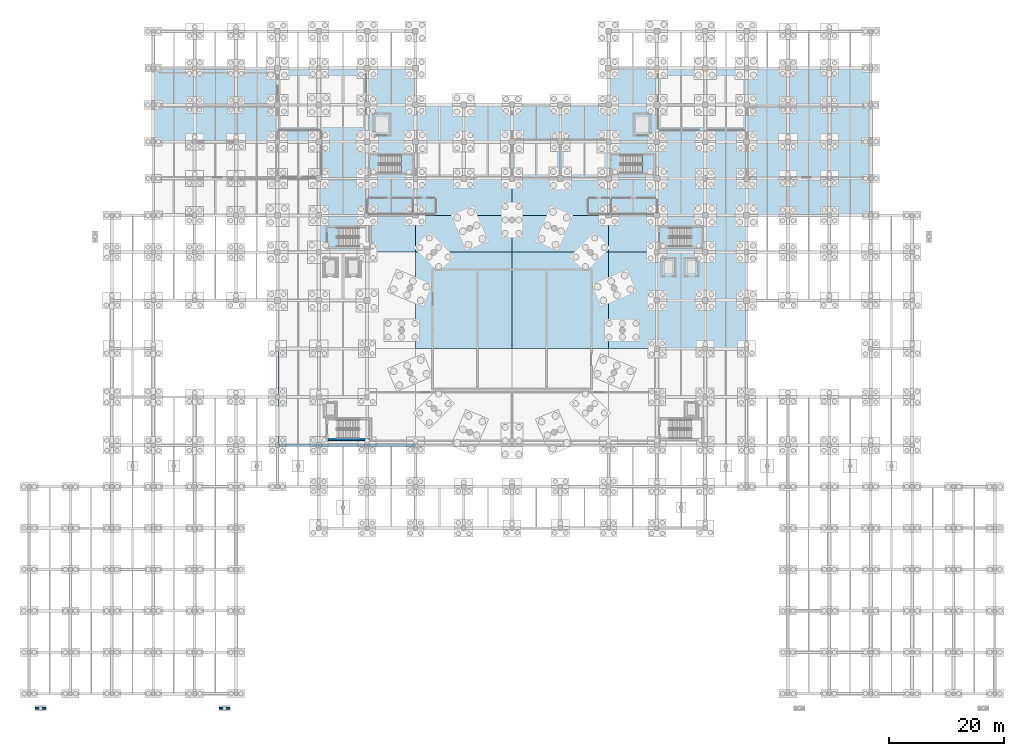
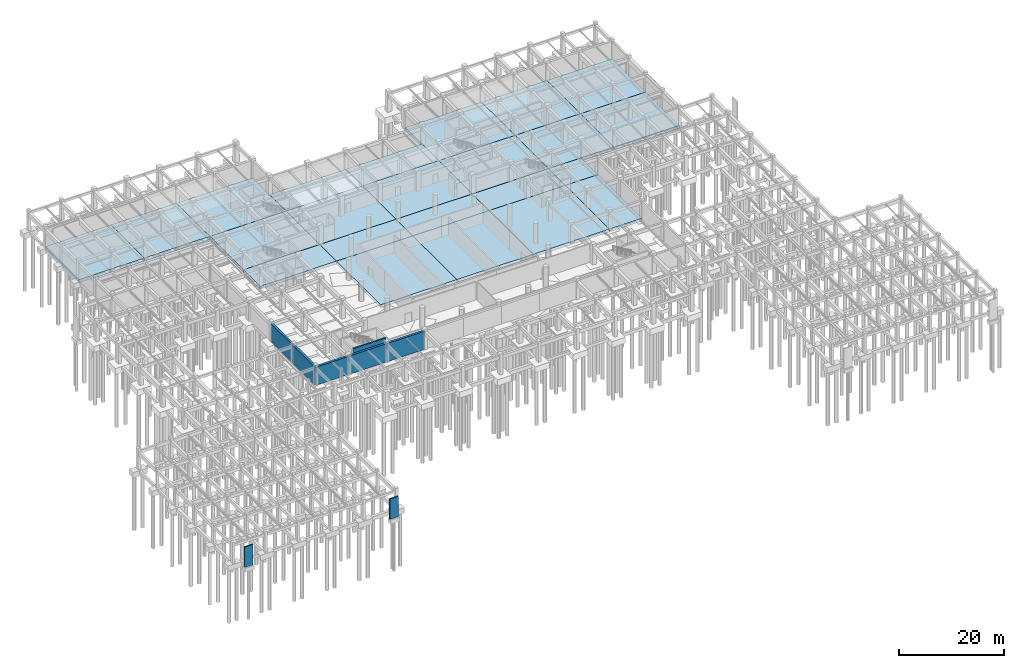
# One storey, part 30 of 44: 26 slabs, 8 walls, 3 elements without a shape of their own.
"""IFC4 building model written with IfcOpenShell, lengths in metres."""

import ifcopenshell
import ifcopenshell.guid

model = None  # the IFC model being written
_history = None  # IfcOwnerHistory: only IFC2X3 demands one
_inside = {}  # id of a spatial element -> (the spatial element, [elements in it])
_under = {}  # id of a project, library or spatial element -> (it, [spatial elements below it])
_declared = {}  # id of a project -> (the project, [libraries it declares])
_typed = {}  # id of a type object -> (the type object, [elements of that type])
_made_of = {}  # id of a material, layer set ... -> (it, [elements and type objects made of it])


def new_model(schema):
    """Start an empty IFC model of exactly this schema.

    Asked for "IFC4X3", IfcOpenShell would pick the latest addendum, in which some entities
    have other attributes; the version numbers below select the first issue.
    IFC2X3 requires an IfcOwnerHistory on every rooted entity: one is made here for all.
    """
    global model, _history
    if schema == "IFC4X3":
        model = ifcopenshell.file(schema_version=(4, 3, 0, 0))
    else:
        model = ifcopenshell.file(schema=schema)
    _inside.clear()
    _under.clear()
    _declared.clear()
    _typed.clear()
    _made_of.clear()
    _history = None
    if model.schema == "IFC2X3":
        org = make("IfcOrganization", Name="unknown")
        user = make(
            "IfcPersonAndOrganization",
            ThePerson=make("IfcPerson", FamilyName="unknown"),
            TheOrganization=org,
        )
        app = make(
            "IfcApplication",
            ApplicationDeveloper=org,
            Version="unknown",
            ApplicationFullName="unknown",
            ApplicationIdentifier="unknown",
        )
        _history = make(
            "IfcOwnerHistory",
            OwningUser=user,
            OwningApplication=app,
            ChangeAction="ADDED",
            CreationDate=0,
        )
    return model


def make(cls, **values):
    """One entity of the class cls with the attributes given. An attribute that is None is left unset."""
    return model.create_entity(
        cls, **{name: value for name, value in values.items() if value is not None}
    )


def rooted(cls, **values):
    """An entity with a GlobalId (a new one), such as an element, a storey or a relation."""
    return make(cls, GlobalId=ifcopenshell.guid.new(), OwnerHistory=_history, **values)


def si_unit(unit_type, name, prefix=None):
    """IfcSIUnit, for example si_unit("LENGTHUNIT", "METRE", prefix="MILLI")."""
    return make("IfcSIUnit", UnitType=unit_type, Prefix=prefix, Name=name)


def assignment(units):
    """IfcUnitAssignment: the units of a project."""
    return None if units is None else make("IfcUnitAssignment", Units=units)


def point(xyz):
    """IfcCartesianPoint."""
    return None if xyz is None else make("IfcCartesianPoint", Coordinates=xyz)


def direction(xyz):
    """IfcDirection."""
    return None if xyz is None else make("IfcDirection", DirectionRatios=xyz)


def frame(location, z_axis=None, x_axis=None):
    """IfcAxis2Placement3D, a coordinate frame: its origin and axes. An axis left out is left unset."""
    return make(
        "IfcAxis2Placement3D",
        Location=point(location),
        Axis=direction(z_axis),
        RefDirection=direction(x_axis),
    )


def frame_2d(location, x_axis=None):
    """IfcAxis2Placement2D, a coordinate frame in the plane: its origin and x axis."""
    return make(
        "IfcAxis2Placement2D", Location=point(location), RefDirection=direction(x_axis)
    )


def origin():
    """The frame at (0, 0, 0) with its axes left unset."""
    return frame((0.0, 0.0, 0.0))


def place(relative_to, where):
    """IfcLocalPlacement: puts the frame where relative to a parent placement (None: the world)."""
    return make(
        "IfcLocalPlacement", PlacementRelTo=relative_to, RelativePlacement=where
    )


def context(
    kind, dimensions, precision=None, world=None, true_north=None, identifier=None
):
    """IfcGeometricRepresentationContext, for example the 3D "Model" context."""
    return make(
        "IfcGeometricRepresentationContext",
        ContextIdentifier=identifier,
        ContextType=kind,
        CoordinateSpaceDimension=dimensions,
        Precision=precision,
        WorldCoordinateSystem=world,
        TrueNorth=true_north,
    )


def subcontext(parent, identifier, kind, view, scale=None):
    """IfcGeometricRepresentationSubContext, for example "Body" below "Model"."""
    return make(
        "IfcGeometricRepresentationSubContext",
        ContextIdentifier=identifier,
        ContextType=kind,
        ParentContext=parent,
        TargetScale=scale,
        TargetView=view,
    )


def project(units=None, contexts=None):
    """IfcProject with its units and contexts."""
    return rooted(
        "IfcProject",
        Name="project",
        RepresentationContexts=contexts,
        UnitsInContext=assignment(units),
    )


def spatial(cls, under=None, at=None, **own):
    """A site, building, storey or space (cls), placed at a placement, below another one or the project."""
    s = rooted(cls, ObjectPlacement=at, **own)
    if under is not None:
        _under.setdefault(under.id(), (under, []))[1].append(s)
    return s


def polyline(points):
    """IfcPolyline through the points."""
    return make("IfcPolyline", Points=[point(p) for p in points])


def profile(cls, at=None, kind="AREA", **sizes):
    """A parametric profile (cls). Its sizes go by their IFC names, for example OverallWidth=200.0."""
    return make(cls, ProfileType=kind, Position=at, **sizes)


def rectangle(**sizes):
    """IfcRectangleProfileDef."""
    return profile("IfcRectangleProfileDef", **sizes)


def outline(outer, holes=None, kind="AREA"):
    """IfcArbitraryClosedProfileDef: a profile drawn as a closed curve; with holes, ...WithVoids."""
    if holes is None:
        return make("IfcArbitraryClosedProfileDef", ProfileType=kind, OuterCurve=outer)
    return make(
        "IfcArbitraryProfileDefWithVoids",
        ProfileType=kind,
        OuterCurve=outer,
        InnerCurves=holes,
    )


def extrude(swept, where, along, depth):
    """IfcExtrudedAreaSolid: the profile swept, set in the frame where, extruded along a direction by depth."""
    return make(
        "IfcExtrudedAreaSolid",
        SweptArea=swept,
        Position=where,
        ExtrudedDirection=direction(along),
        Depth=depth,
    )


def shape(context_of_items, identifier, shape_type, items):
    """IfcShapeRepresentation: the items that make up one representation, for example the "Body"."""
    return make(
        "IfcShapeRepresentation",
        ContextOfItems=context_of_items,
        RepresentationIdentifier=identifier,
        RepresentationType=shape_type,
        Items=items,
    )


def material(Name=None, Category=None):
    """IfcMaterial."""
    return make("IfcMaterial", Name=Name, Category=Category)


def layer(
    of_material, thickness, ventilated=None, Name=None, Category=None, Priority=None
):
    """IfcMaterialLayer: one layer of a wall or slab, of a material (None: an air gap)."""
    return make(
        "IfcMaterialLayer",
        Material=of_material,
        LayerThickness=thickness,
        IsVentilated=ventilated,
        Name=Name,
        Category=Category,
        Priority=Priority,
    )


def layer_set(layers, Name=None):
    """IfcMaterialLayerSet."""
    return make("IfcMaterialLayerSet", MaterialLayers=layers, LayerSetName=Name)


def made_of(thing, what):
    """Note that an element or type object is made of a material, layer set ...; save() writes the relation."""
    if what is not None:
        _made_of.setdefault(what.id(), (what, []))[1].append(thing)
    return thing


def type_object(cls, material=None, **own):
    """A type object (cls), such as IfcWallType, which elements share."""
    return made_of(rooted(cls, **own), material)


def element(
    cls,
    number,
    at=None,
    inside=None,
    cuts=None,
    type_object=None,
    material=None,
    context=None,
    identifier="Body",
    shape_type=None,
    held_by="IfcProductDefinitionShape",
    body=None,
    shapes=None,
    **own,
):
    """One element of the class cls, such as IfcWall. Its Tag is "e" and its number.

    at: its placement. inside: the storey or other place that contains it. cuts: it is an
    opening in that element (IfcRelVoidsElement). A single representation is given by context,
    identifier, shape_type and body (its items); several are given by shapes. held_by: the class
    of the entity that holds the representations. save() writes the other relations.
    """
    e = rooted(cls, Tag="e%d" % number, ObjectPlacement=at, **own)
    if body is not None:
        shapes = [shape(context, identifier, shape_type, body)]
    if shapes is not None:
        e.Representation = make(held_by, Representations=shapes)
    if inside is not None:
        _inside.setdefault(inside.id(), (inside, []))[1].append(e)
    if cuts is not None:
        rooted(
            "IfcRelVoidsElement", RelatingBuildingElement=cuts, RelatedOpeningElement=e
        )
    if type_object is not None:
        _typed.setdefault(type_object.id(), (type_object, []))[1].append(e)
    return made_of(e, material)


def aggregate(whole, parts):
    """IfcRelAggregates: a whole, such as a stair, and the parts it consists of."""
    return rooted("IfcRelAggregates", RelatingObject=whole, RelatedObjects=parts)


def save(model, path):
    """Write the relations noted so far, then the file.

    IfcRelAggregates (storeys below a building ...), IfcRelContainedInSpatialStructure (elements
    in a storey), IfcRelDefinesByType, IfcRelAssociatesMaterial and IfcRelDeclares: one each for
    every whole, place, type object, material and project.
    """
    for whole, parts in _under.values():
        aggregate(whole, parts)
    for where, things in _inside.values():
        rooted(
            "IfcRelContainedInSpatialStructure",
            RelatedElements=things,
            RelatingStructure=where,
        )
    for kind, things in _typed.values():
        rooted("IfcRelDefinesByType", RelatedObjects=things, RelatingType=kind)
    for what, things in _made_of.values():
        rooted("IfcRelAssociatesMaterial", RelatedObjects=things, RelatingMaterial=what)
    for by, libraries in _declared.values():
        rooted("IfcRelDeclares", RelatingContext=by, RelatedDefinitions=libraries)
    model.write(path)


model = new_model("IFC4")

# Units and contexts
model_context = context("Model", 3, precision=1e-05, world=origin(), true_north=direction((0.0, 1.0)))
body_context = subcontext(model_context, "Body", "Model", "MODEL_VIEW")
ifc_project = project(units=[si_unit("LENGTHUNIT", "METRE"), si_unit("AREAUNIT", "SQUARE_METRE"), si_unit("VOLUMEUNIT", "CUBIC_METRE"), si_unit("PLANEANGLEUNIT", "RADIAN"), si_unit("MASSUNIT", "GRAM", prefix="KILO")], contexts=[model_context])

# Site, building, storey
site_placement = place(None, origin())
site = spatial("IfcSite", under=ifc_project, at=site_placement, CompositionType="ELEMENT")
building_placement = place(site_placement, origin())
building = spatial("IfcBuilding", under=site, at=building_placement, Name="Korsvaeld Concert Hall", CompositionType="ELEMENT")
storey_placement = place(building_placement, frame((0.0, 0.0, -4.800048828125)))
storey = spatial("IfcBuildingStorey", under=building, at=storey_placement, Name="B1", CompositionType="ELEMENT", Elevation=-4.800048828125)

# Slabs
ifc_material_1 = material(Name="Concrete C35/45", Category="concrete")
ifc_layer_1 = layer(ifc_material_1, 0.699951171875)
ifc_layer_set_1 = layer_set([ifc_layer_1], Name="Concrete C35/45")
slab_type_1 = type_object("IfcSlabType", Name="SLB-BASE-700", PredefinedType="BASESLAB", material=ifc_layer_set_1)
slab_1_placement = place(storey_placement, frame((0.0, 0.0, -0.699951171875)))
element("IfcSlab", 1, at=slab_1_placement, inside=storey, type_object=slab_type_1, Name="Structural slab B1 V1_B1 2.3", PredefinedType="BASESLAB", context=body_context, shape_type="SweptSolid", body=[
    extrude(outline(polyline([(67.199951171875, 76.800048828125), (67.199951171875, 83.199951171875), (50.39990234375, 83.199951171875), (50.39990234375, 76.800048828125), (67.199951171875, 76.800048828125)])), origin(), (0.0, 0.0, 1.0), 0.699951171875),
])
slab_2_placement = place(storey_placement, frame((0.0, 0.0, -0.699951171875)))
element("IfcSlab", 2, at=slab_2_placement, inside=storey, type_object=slab_type_1, Name="Structural slab B1 V1_B1 3.2", PredefinedType="BASESLAB", context=body_context, shape_type="SweptSolid", body=[
    extrude(outline(polyline([(84.0, 60.0), (84.0, 76.800048828125), (67.199951171875, 76.800048828125), (67.199951171875, 60.0), (84.0, 60.0)])), origin(), (0.0, 0.0, 1.0), 0.699951171875),
])
slab_3_placement = place(storey_placement, frame((0.0, 0.0, -0.699951171875)))
element("IfcSlab", 3, at=slab_3_placement, inside=storey, type_object=slab_type_1, Name="Structural slab B1 V1_B1 3.3", PredefinedType="BASESLAB", context=body_context, shape_type="SweptSolid", body=[
    extrude(outline(polyline([(84.0, 76.800048828125), (84.0, 83.199951171875), (67.199951171875, 83.199951171875), (67.199951171875, 76.800048828125), (84.0, 76.800048828125)])), origin(), (0.0, 0.0, 1.0), 0.699951171875),
])
slab_4_placement = place(storey_placement, frame((0.0, 0.0, -0.699951171875)))
element("IfcSlab", 4, at=slab_4_placement, inside=storey, type_object=slab_type_1, Name="Structural slab B1 V1_B1 4.2", PredefinedType="BASESLAB", context=body_context, shape_type="SweptSolid", body=[
    extrude(outline(polyline([(100.800048828125, 60.0), (100.800048828125, 76.800048828125), (84.0, 76.800048828125), (84.0, 60.0), (100.800048828125, 60.0)])), origin(), (0.0, 0.0, 1.0), 0.699951171875),
])
slab_5_placement = place(storey_placement, frame((0.0, 0.0, -0.699951171875)))
element("IfcSlab", 5, at=slab_5_placement, inside=storey, type_object=slab_type_1, Name="Structural slab B1 V1_B1 4.3", PredefinedType="BASESLAB", context=body_context, shape_type="SweptSolid", body=[
    extrude(outline(polyline([(100.800048828125, 76.800048828125), (100.800048828125, 83.199951171875), (84.0, 83.199951171875), (84.0, 76.800048828125), (100.800048828125, 76.800048828125)])), origin(), (0.0, 0.0, 1.0), 0.699951171875),
])
slab_6_placement = place(storey_placement, frame((0.0, 0.0, -0.699951171875)))
element("IfcSlab", 6, at=slab_6_placement, inside=storey, type_object=slab_type_1, Name="Structural slab B1 V1_B1 5.2", PredefinedType="BASESLAB", context=body_context, shape_type="SweptSolid", body=[
    extrude(outline(polyline([(117.60009765625, 60.0), (117.60009765625, 76.800048828125), (100.800048828125, 76.800048828125), (100.800048828125, 60.0), (117.60009765625, 60.0)])), origin(), (0.0, 0.0, 1.0), 0.699951171875),
])
slab_7_placement = place(storey_placement, frame((0.0, 0.0, -0.699951171875)))
element("IfcSlab", 7, at=slab_7_placement, inside=storey, type_object=slab_type_1, Name="Structural slab B1 V1_B1 5.3", PredefinedType="BASESLAB", context=body_context, shape_type="SweptSolid", body=[
    extrude(outline(polyline([(117.60009765625, 76.800048828125), (117.60009765625, 83.199951171875), (100.800048828125, 83.199951171875), (100.800048828125, 76.800048828125), (117.60009765625, 76.800048828125)])), origin(), (0.0, 0.0, 1.0), 0.699951171875),
])
slab_8_placement = place(storey_placement, frame((0.0, 0.0, -0.699951171875)))
element("IfcSlab", 8, at=slab_8_placement, inside=storey, type_object=slab_type_1, Name="Structural slab B1 V1_B1 6.2", PredefinedType="BASESLAB", context=body_context, shape_type="SweptSolid", body=[
    extrude(outline(polyline([(124.800048828125, 60.0), (124.800048828125, 76.800048828125), (117.60009765625, 76.800048828125), (117.60009765625, 60.0), (124.800048828125, 60.0)])), origin(), (0.0, 0.0, 1.0), 0.699951171875),
])
slab_9_placement = place(storey_placement, frame((0.0, 0.0, -0.699951171875)))
element("IfcSlab", 9, at=slab_9_placement, inside=storey, type_object=slab_type_1, Name="Structural slab B1 V1_B1 6.3", PredefinedType="BASESLAB", context=body_context, shape_type="SweptSolid", body=[
    extrude(outline(polyline([(124.800048828125, 76.800048828125), (124.800048828125, 83.199951171875), (117.60009765625, 83.199951171875), (117.60009765625, 76.800048828125), (124.800048828125, 76.800048828125)])), origin(), (0.0, 0.0, 1.0), 0.699951171875),
])
slab_10_placement = place(storey_placement, frame((0.0, 0.0, -0.699951171875)))
element("IfcSlab", 10, at=slab_10_placement, inside=storey, type_object=slab_type_1, Name="Structural slab B1 V5_B1_W 1.2", PredefinedType="BASESLAB", context=body_context, shape_type="SweptSolid", body=[
    extrude(outline(polyline([(36.0, 96.0), (36.0, 108.800048828125), (21.60009765625, 108.800048828125), (21.60009765625, 96.0), (36.0, 96.0)])), origin(), (0.0, 0.0, 1.0), 0.699951171875),
])
slab_11_placement = place(storey_placement, frame((0.0, 0.0, -0.699951171875)))
element("IfcSlab", 11, at=slab_11_placement, inside=storey, type_object=slab_type_1, Name="Structural slab B1 V5_B1_W 2.2", PredefinedType="BASESLAB", context=body_context, shape_type="SweptSolid", body=[
    extrude(outline(polyline([(50.39990234375, 96.0), (50.39990234375, 108.800048828125), (36.0, 108.800048828125), (36.0, 96.0), (50.39990234375, 96.0)])), origin(), (0.0, 0.0, 1.0), 0.699951171875),
])
slab_12_placement = place(storey_placement, frame((0.0, 0.0, -0.699951171875)))
element("IfcSlab", 12, at=slab_12_placement, inside=storey, type_object=slab_type_1, Name="Structural slab B1 V5_B1_W 3.1", PredefinedType="BASESLAB", context=body_context, shape_type="SweptSolid", body=[
    extrude(outline(polyline([(67.199951171875, 83.199951171875), (67.199951171875, 96.0), (50.39990234375, 96.0), (50.39990234375, 83.199951171875), (67.199951171875, 83.199951171875)])), origin(), (0.0, 0.0, 1.0), 0.699951171875),
])
slab_13_placement = place(storey_placement, frame((0.0, 0.0, -0.699951171875)))
element("IfcSlab", 13, at=slab_13_placement, inside=storey, type_object=slab_type_1, Name="Structural slab B1 V5_B1_W 3.2", PredefinedType="BASESLAB", context=body_context, shape_type="SweptSolid", body=[
    extrude(outline(polyline([(67.199951171875, 96.0), (67.199951171875, 108.800048828125), (50.39990234375, 108.800048828125), (50.39990234375, 96.0), (67.199951171875, 96.0)])), origin(), (0.0, 0.0, 1.0), 0.699951171875),
])
slab_14_placement = place(storey_placement, frame((0.0, 0.0, -0.699951171875)))
element("IfcSlab", 14, at=slab_14_placement, inside=storey, type_object=slab_type_1, Name="Structural slab B1 V5_B1_C 1.1", PredefinedType="BASESLAB", context=body_context, shape_type="SweptSolid", body=[
    extrude(outline(polyline([(84.0, 83.199951171875), (84.0, 96.0), (67.199951171875, 96.0), (67.199951171875, 83.199951171875), (84.0, 83.199951171875)])), origin(), (0.0, 0.0, 1.0), 0.699951171875),
])
slab_15_placement = place(storey_placement, frame((0.0, 0.0, -0.699951171875)))
element("IfcSlab", 15, at=slab_15_placement, inside=storey, type_object=slab_type_1, Name="Structural slab B1 V5_B1_C 1.2", PredefinedType="BASESLAB", context=body_context, shape_type="SweptSolid", body=[
    extrude(outline(polyline([(84.0, 96.0), (84.0, 102.39990234375), (67.199951171875, 102.39990234375), (67.199951171875, 96.0), (84.0, 96.0)])), origin(), (0.0, 0.0, 1.0), 0.699951171875),
])
slab_16_placement = place(storey_placement, frame((0.0, 0.0, -0.699951171875)))
element("IfcSlab", 16, at=slab_16_placement, inside=storey, type_object=slab_type_1, Name="Structural slab B1 V5_B1_C 2.1", PredefinedType="BASESLAB", context=body_context, shape_type="SweptSolid", body=[
    extrude(outline(polyline([(100.800048828125, 83.199951171875), (100.800048828125, 96.0), (84.0, 96.0), (84.0, 83.199951171875), (100.800048828125, 83.199951171875)])), origin(), (0.0, 0.0, 1.0), 0.699951171875),
])
slab_17_placement = place(storey_placement, frame((0.0, 0.0, -0.699951171875)))
element("IfcSlab", 17, at=slab_17_placement, inside=storey, type_object=slab_type_1, Name="Structural slab B1 V5_B1_C 2.2", PredefinedType="BASESLAB", context=body_context, shape_type="SweptSolid", body=[
    extrude(outline(polyline([(100.800048828125, 96.0), (100.800048828125, 102.39990234375), (84.0, 102.39990234375), (84.0, 96.0), (100.800048828125, 96.0)])), origin(), (0.0, 0.0, 1.0), 0.699951171875),
])
slab_18_placement = place(storey_placement, frame((0.0, 0.0, -0.699951171875)))
element("IfcSlab", 18, at=slab_18_placement, inside=storey, type_object=slab_type_1, Name="Structural slab B1 V5_B1_E 1.1", PredefinedType="BASESLAB", context=body_context, shape_type="SweptSolid", body=[
    extrude(outline(polyline([(117.60009765625, 83.199951171875), (117.60009765625, 96.0), (100.800048828125, 96.0), (100.800048828125, 83.199951171875), (117.60009765625, 83.199951171875)])), origin(), (0.0, 0.0, 1.0), 0.699951171875),
])
slab_19_placement = place(storey_placement, frame((0.0, 0.0, -0.699951171875)))
element("IfcSlab", 19, at=slab_19_placement, inside=storey, type_object=slab_type_1, Name="Structural slab B1 V5_B1_E 1.2", PredefinedType="BASESLAB", context=body_context, shape_type="SweptSolid", body=[
    extrude(outline(polyline([(117.60009765625, 96.0), (117.60009765625, 108.800048828125), (100.800048828125, 108.800048828125), (100.800048828125, 96.0), (117.60009765625, 96.0)])), origin(), (0.0, 0.0, 1.0), 0.699951171875),
])
slab_20_placement = place(storey_placement, frame((0.0, 0.0, -0.699951171875)))
element("IfcSlab", 20, at=slab_20_placement, inside=storey, type_object=slab_type_1, Name="Structural slab B1 V5_B1_E 2.1", PredefinedType="BASESLAB", context=body_context, shape_type="SweptSolid", body=[
    extrude(outline(polyline([(132.0, 83.199951171875), (132.0, 96.0), (117.60009765625, 96.0), (117.60009765625, 83.199951171875), (132.0, 83.199951171875)])), origin(), (0.0, 0.0, 1.0), 0.699951171875),
])
slab_21_placement = place(storey_placement, frame((0.0, 0.0, -0.699951171875)))
element("IfcSlab", 21, at=slab_21_placement, inside=storey, type_object=slab_type_1, Name="Structural slab B1 V5_B1_E 2.2", PredefinedType="BASESLAB", context=body_context, shape_type="SweptSolid", body=[
    extrude(outline(polyline([(132.0, 96.0), (132.0, 108.800048828125), (117.60009765625, 108.800048828125), (117.60009765625, 96.0), (132.0, 96.0)])), origin(), (0.0, 0.0, 1.0), 0.699951171875),
])
slab_22_placement = place(storey_placement, frame((0.0, 0.0, -0.699951171875)))
element("IfcSlab", 22, at=slab_22_placement, inside=storey, type_object=slab_type_1, Name="Structural slab B1 V5_B1_E 3.1", PredefinedType="BASESLAB", context=body_context, shape_type="SweptSolid", body=[
    extrude(outline(polyline([(146.39990234375, 83.199951171875), (146.39990234375, 96.0), (132.0, 96.0), (132.0, 83.199951171875), (146.39990234375, 83.199951171875)])), origin(), (0.0, 0.0, 1.0), 0.699951171875),
])
slab_23_placement = place(storey_placement, frame((0.0, 0.0, -0.699951171875)))
element("IfcSlab", 23, at=slab_23_placement, inside=storey, type_object=slab_type_1, Name="Structural slab B1 V5_B1_E 3.2", PredefinedType="BASESLAB", context=body_context, shape_type="SweptSolid", body=[
    extrude(outline(polyline([(146.39990234375, 96.0), (146.39990234375, 108.800048828125), (132.0, 108.800048828125), (132.0, 96.0), (146.39990234375, 96.0)])), origin(), (0.0, 0.0, 1.0), 0.699951171875),
])

# Stair, slab
ifc_material_2 = material(Name="Precast concrete C40/50", Category="concrete")
stair_type_1 = type_object("IfcStairType", Name="STR-HT-155-48", PredefinedType="HALF_TURN_STAIR", material=ifc_material_2)
stair_1_placement = place(storey_placement, origin())
stair_1 = element("IfcStair", 24, at=stair_1_placement, inside=storey, type_object=stair_type_1, Name="B1 ST-K2", PredefinedType="HALF_TURN_STAIR")
ifc_layer_2 = layer(ifc_material_2, 0.179931640625)
ifc_layer_set_2 = layer_set([ifc_layer_2], Name="Precast concrete C40/50")
slab_type_2 = type_object("IfcSlabType", Name="SLB-LANDING-180", PredefinedType="LANDING", material=ifc_layer_set_2)
slab_24_placement = place(storey_placement, frame((0.0, 0.0, 2.219970703125)))
slab_24 = element("IfcSlab", 25, at=slab_24_placement, type_object=slab_type_2, Name="ST-K2 landing 1", PredefinedType="LANDING", context=body_context, shape_type="SweptSolid", body=[
    extrude(outline(polyline([(115.159912109375, 77.7099609375), (115.159912109375, 81.1298828125), (117.090087890625, 81.1298828125), (117.090087890625, 77.7099609375), (115.159912109375, 77.7099609375)])), origin(), (0.0, 0.0, 1.0), 0.18017578125),
])
aggregate(stair_1, [slab_24])

stair_type_2 = type_object("IfcStairType", Name="STR-HT-145-48", PredefinedType="HALF_TURN_STAIR", material=ifc_material_2)
stair_2_placement = place(storey_placement, origin())
stair_2 = element("IfcStair", 26, at=stair_2_placement, inside=storey, type_object=stair_type_2, Name="B1 ST-K5", PredefinedType="HALF_TURN_STAIR")
slab_25_placement = place(storey_placement, frame((0.0, 0.0, 2.219970703125)))
slab_25 = element("IfcSlab", 27, at=slab_25_placement, type_object=slab_type_2, Name="ST-K5 landing 1", PredefinedType="LANDING", context=body_context, shape_type="SweptSolid", body=[
    extrude(outline(polyline([(64.659912109375, 90.510009765625), (64.659912109375, 93.72998046875), (66.68994140625, 93.72998046875), (66.68994140625, 90.510009765625), (64.659912109375, 90.510009765625)])), origin(), (0.0, 0.0, 1.0), 0.18017578125),
])
aggregate(stair_2, [slab_25])

stair_3_placement = place(storey_placement, origin())
stair_3 = element("IfcStair", 28, at=stair_3_placement, inside=storey, type_object=stair_type_2, Name="B1 ST-K6", PredefinedType="HALF_TURN_STAIR")
slab_26_placement = place(storey_placement, frame((0.0, 0.0, 2.219970703125)))
slab_26 = element("IfcSlab", 29, at=slab_26_placement, type_object=slab_type_2, Name="ST-K6 landing 1", PredefinedType="LANDING", context=body_context, shape_type="SweptSolid", body=[
    extrude(outline(polyline([(106.659912109375, 90.510009765625), (106.659912109375, 93.72998046875), (108.68994140625, 93.72998046875), (108.68994140625, 90.510009765625), (106.659912109375, 90.510009765625)])), origin(), (0.0, 0.0, 1.0), 0.18017578125),
])
aggregate(stair_3, [slab_26])

# Walls
ifc_layer_3 = layer(ifc_material_1, 0.47998046875)
ifc_layer_set_3 = layer_set([ifc_layer_3], Name="Concrete C35/45")
wall_type_1 = type_object("IfcWallType", Name="WL-B1-RET-480", PredefinedType="SOLIDWALL", material=ifc_layer_set_3)
wall_1_placement = place(storey_placement, frame((67.199951171875, 43.199951171875, 0.0), z_axis=(0.0, 0.0, 1.0), x_axis=(-1.0, 0.0, 0.0)))
element("IfcWall", 30, at=wall_1_placement, inside=storey, type_object=wall_type_1, Name="Exterior sandstone wall B1-008", PredefinedType="SOLIDWALL", context=body_context, shape_type="SweptSolid", body=[
    extrude(rectangle(XDim=8.39990234375, YDim=0.47998046875, at=frame_2d((4.199951171875, 0.0))), origin(), (0.0, 0.0, 1.0), 4.25),
])
wall_2_placement = place(storey_placement, frame((58.800048828125, 43.199951171875, 0.0), z_axis=(0.0, 0.0, 1.0), x_axis=(-1.0, 0.0, 0.0)))
element("IfcWall", 31, at=wall_2_placement, inside=storey, type_object=wall_type_1, Name="Exterior sandstone wall B1-009", PredefinedType="SOLIDWALL", context=body_context, shape_type="SweptSolid", body=[
    extrude(rectangle(XDim=8.400146484375, YDim=0.47998046875, at=frame_2d((4.2001953125, 0.0))), origin(), (0.0, 0.0, 1.0), 4.25),
])
wall_3_placement = place(storey_placement, frame((50.39990234375, 43.199951171875, 0.0), z_axis=(0.0, 0.0, 1.0), x_axis=(-1.0, 0.0, 0.0)))
element("IfcWall", 32, at=wall_3_placement, inside=storey, type_object=wall_type_1, Name="Exterior sandstone wall B1-010", PredefinedType="SOLIDWALL", context=body_context, shape_type="SweptSolid", body=[
    extrude(rectangle(XDim=7.199951171875, YDim=0.47998046875, at=frame_2d((3.60009765625, 0.0))), origin(), (0.0, 0.0, 1.0), 4.25),
])
wall_4_placement = place(storey_placement, frame((43.199951171875, 43.199951171875, 0.0), z_axis=(0.0, 0.0, 1.0), x_axis=(0.0, 1.0, 0.0)))
element("IfcWall", 33, at=wall_4_placement, inside=storey, type_object=wall_type_1, Name="Exterior sandstone wall B1-011", PredefinedType="SOLIDWALL", context=body_context, shape_type="SweptSolid", body=[
    extrude(rectangle(XDim=8.400146484375, YDim=0.47998046875, at=frame_2d((4.2001953125, 0.0))), origin(), (0.0, 0.0, 1.0), 4.25),
])
wall_5_placement = place(storey_placement, frame((43.199951171875, 51.60009765625, 0.0), z_axis=(0.0, 0.0, 1.0), x_axis=(0.0, 1.0, 0.0)))
element("IfcWall", 34, at=wall_5_placement, inside=storey, type_object=wall_type_1, Name="Exterior sandstone wall B1-012", PredefinedType="SOLIDWALL", context=body_context, shape_type="SweptSolid", body=[
    extrude(rectangle(XDim=8.39990234375, YDim=0.47998046875, at=frame_2d((4.199951171875, 0.0))), origin(), (0.0, 0.0, 1.0), 4.25),
])
ifc_material_3 = material(Name="Concrete C40/50", Category="concrete")
ifc_layer_4 = layer(ifc_material_3, 0.340087890625)
ifc_layer_set_4 = layer_set([ifc_layer_4], Name="Concrete C40/50")
wall_type_2 = type_object("IfcWallType", Name="WL-CORE-340", PredefinedType="SHEAR", material=ifc_layer_set_4)
wall_6_placement = place(storey_placement, frame((51.969970703125, 44.199951171875, 0.0), z_axis=(0.0, 0.0, 1.0), x_axis=(1.0, 0.0, 0.0)))
element("IfcWall", 35, at=wall_6_placement, inside=storey, type_object=wall_type_2, Name="Core K3 shear wall B1 S", PredefinedType="SHEAR", context=body_context, shape_type="SweptSolid", body=[
    extrude(rectangle(XDim=7.260009765625, YDim=0.340087890625, at=frame_2d((3.6298828125, 0.0))), origin(), (0.0, 0.0, 1.0), 4.800048828125),
])
ifc_layer_5 = layer(ifc_material_3, 0.300048828125)
ifc_layer_set_5 = layer_set([ifc_layer_5], Name="Concrete C40/50")
wall_type_3 = type_object("IfcWallType", Name="WL-TIER-300", PredefinedType="SHEAR", material=ifc_layer_set_5)
for number, where, z_axis, x_axis, name in (
    (36, (1.06005859375, -2.5400390625, 0.0), (0.0, 0.0, 1.0), (1.0, 0.0, 0.0), "Ramp toe bearing sleeper wall RMP-SW1"),
    (37, (33.06005859375, -2.5400390625, 0.0), (0.0, 0.0, 1.0), (1.0, 0.0, 0.0), "Ramp toe bearing sleeper wall RMP-SW2"),
):
    element("IfcWall", number, at=place(storey_placement, frame(where, z_axis=z_axis, x_axis=x_axis)), inside=storey, type_object=wall_type_3, Name=name, PredefinedType="SHEAR", context=body_context, shape_type="SweptSolid", body=[
        extrude(rectangle(XDim=1.8798828125, YDim=0.300048828125, at=frame_2d((0.93994140625, 0.0))), origin(), (0.0, 0.0, 1.0), 4.739990234375),
    ])

save(model, "model.ifc")
